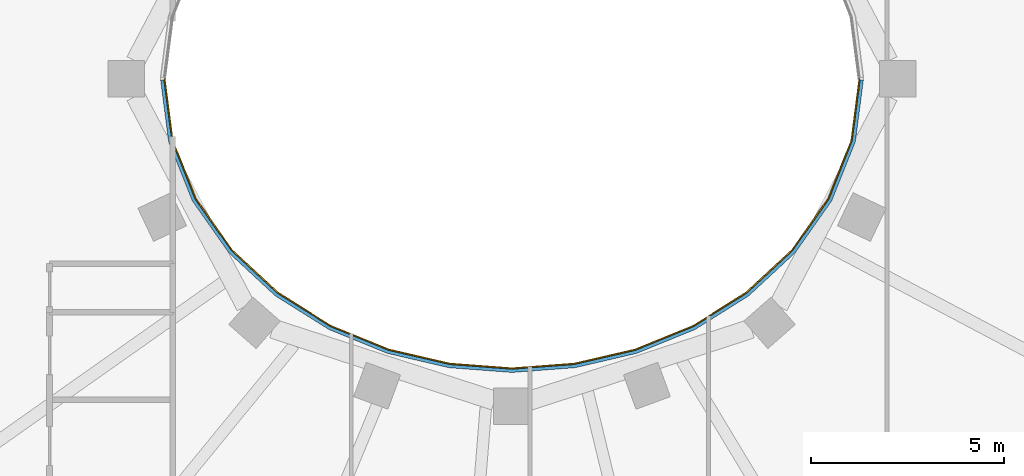
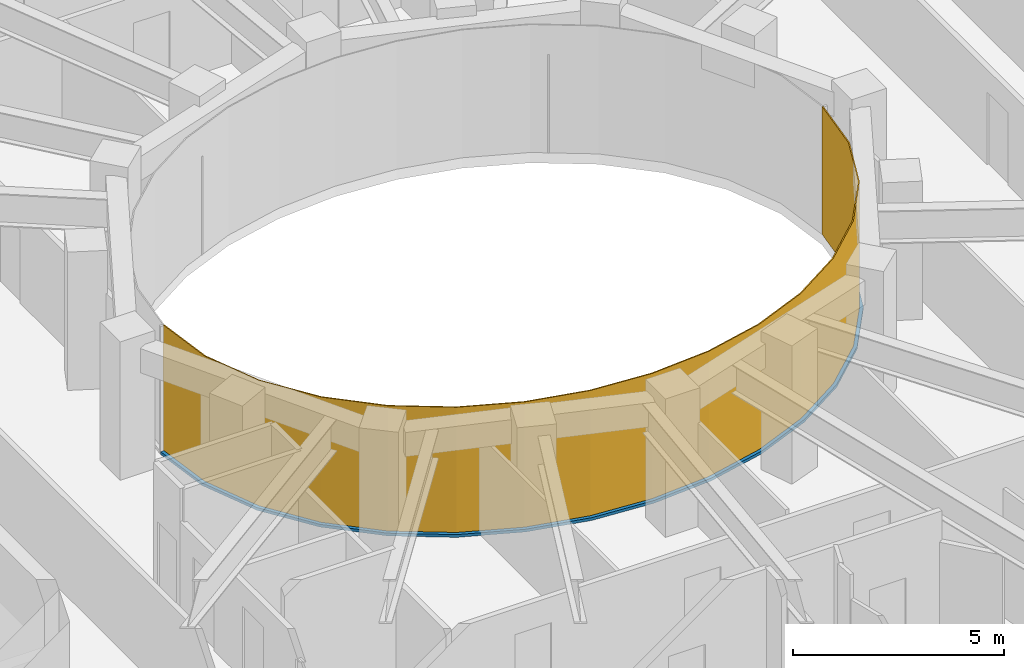
# One storey, part 10 of 16: 1 curtain wall, 1 member.
"""IFC4 building model written with IfcOpenShell, lengths in metres."""

from ifc_helpers import new_model, si_unit, direction, frame, origin, place, context, subcontext, project, spatial, polyline, outline, extrude, material, layer, layer_set, type_object, element, aggregate, save


model = new_model("IFC4")

# Units and contexts
model_context = context("Model", 3, precision=1e-05, world=origin(), true_north=direction((0.0, 1.0)))
body_context = subcontext(model_context, "Body", "Model", "MODEL_VIEW")
ifc_project = project(units=[si_unit("LENGTHUNIT", "METRE"), si_unit("AREAUNIT", "SQUARE_METRE"), si_unit("VOLUMEUNIT", "CUBIC_METRE"), si_unit("PLANEANGLEUNIT", "RADIAN"), si_unit("MASSUNIT", "GRAM", prefix="KILO")], contexts=[model_context])

# Member
ifc_material_1 = material(Name="Steel S355 fire-resisting frame", Category="steel")
member_type = type_object("IfcMemberType", Name="ENV-TRANSOM-W", PredefinedType="USERDEFINED", material=ifc_material_1)
site_placement = place(None, origin())
building_placement = place(site_placement, origin())
storey_placement = place(building_placement, frame((0.0, 0.0, 273.5)))
member_placement = place(storey_placement, origin())
member = element("IfcMember", 1, at=member_placement, type_object=member_type, Name="Transom W well 17-01", ObjectType="TRANSOM", PredefinedType="USERDEFINED", context=body_context, shape_type="SweptSolid", body=[
    extrude(outline(polyline([(-9.119384765625, -0.02783203125), (-8.910400390625, -1.63623046875), (-8.29833984375, -3.167236328125), (-7.35107421875, -4.5146484375), (-6.1455078125, -5.6337890625), (-4.75341796875, -6.50634765625), (-3.233642578125, -7.127685546875), (-1.635498046875, -7.498779296875), (0.0, -7.622314453125), (1.635498046875, -7.498779296875), (3.233642578125, -7.127685546875), (4.75341796875, -6.50634765625), (6.1455078125, -5.6337890625), (7.35107421875, -4.5146484375), (8.29833984375, -3.167236328125), (8.910400390625, -1.63623046875), (9.119384765625, -0.02783203125), (9.02880859375, -0.02783203125), (8.822509765625, -1.61328125), (8.21875, -3.124267578125), (7.282958984375, -4.455078125), (6.090576171875, -5.56201171875), (4.712158203125, -6.426025390625), (3.206298828125, -7.04150390625), (1.621826171875, -7.40966796875), (0.0, -7.531982421875), (-1.621826171875, -7.40966796875), (-3.206298828125, -7.04150390625), (-4.712158203125, -6.426025390625), (-6.090576171875, -5.56201171875), (-7.282958984375, -4.455078125), (-8.21875, -3.124267578125), (-8.822509765625, -1.61328125), (-9.02880859375, -0.02783203125), (-9.119384765625, -0.02783203125)])), origin(), (0.0, 0.0, 1.0), 0.080078125),
])

# Site, building, storey
site = spatial("IfcSite", under=ifc_project, at=site_placement, CompositionType="ELEMENT")
building = spatial("IfcBuilding", under=site, at=building_placement, Name="Noorbagh Ring Tower", CompositionType="ELEMENT")
storey = spatial("IfcBuildingStorey", under=building, at=storey_placement, Name="L58", CompositionType="ELEMENT", Elevation=273.5)

# Curtain wall
ifc_material_2 = material(Name="Glass fire-resisting E60 laminated", Category="glass")
ifc_layer = layer(ifc_material_2, 0.031982421875)
ifc_layer_set = layer_set([ifc_layer], Name="Glass fire-resisting E60 laminated")
curtain_wall_type = type_object("IfcCurtainWallType", Name="ENV-CW-W", PredefinedType="NOTDEFINED", material=ifc_layer_set)
curtain_wall_placement = place(storey_placement, origin())
curtain_wall = element("IfcCurtainWall", 2, at=curtain_wall_placement, inside=storey, type_object=curtain_wall_type, Name="Curtain wall W W17", PredefinedType="NOTDEFINED", context=body_context, shape_type="SweptSolid", body=[
    extrude(outline(polyline([(-9.0322265625, 0.0), (-8.822509765625, -1.61328125), (-8.21875, -3.124267578125), (-7.282958984375, -4.455078125), (-6.090576171875, -5.56201171875), (-4.712158203125, -6.426025390625), (-3.206298828125, -7.04150390625), (-1.621826171875, -7.40966796875), (0.0, -7.531982421875), (1.621826171875, -7.40966796875), (3.206298828125, -7.04150390625), (4.712158203125, -6.426025390625), (6.090576171875, -5.56201171875), (7.282958984375, -4.455078125), (8.21875, -3.124267578125), (8.822509765625, -1.61328125), (9.0322265625, 0.0), (9.0, 0.0), (8.79150390625, -1.605224609375), (8.1904296875, -3.10888671875), (7.2587890625, -4.43408203125), (6.071044921875, -5.53662109375), (4.697509765625, -6.3974609375), (3.196533203125, -7.010986328125), (1.6171875, -7.3779296875), (0.0, -7.5), (-1.6171875, -7.3779296875), (-3.196533203125, -7.010986328125), (-4.697509765625, -6.3974609375), (-6.071044921875, -5.53662109375), (-7.2587890625, -4.43408203125), (-8.1904296875, -3.10888671875), (-8.79150390625, -1.605224609375), (-9.0, 0.0), (-9.0322265625, 0.0)])), origin(), (0.0, 0.0, 1.0), 3.699951171875),
])

aggregate(curtain_wall, [member])

save(model, "model.ifc")
